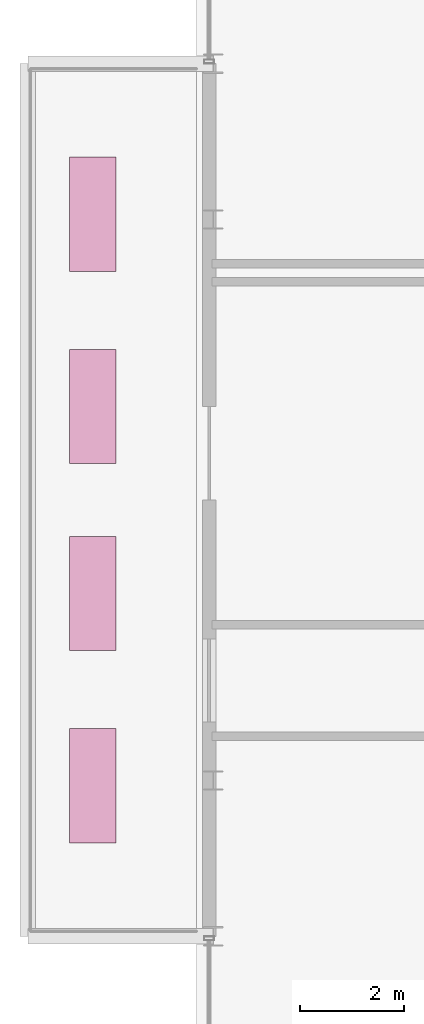
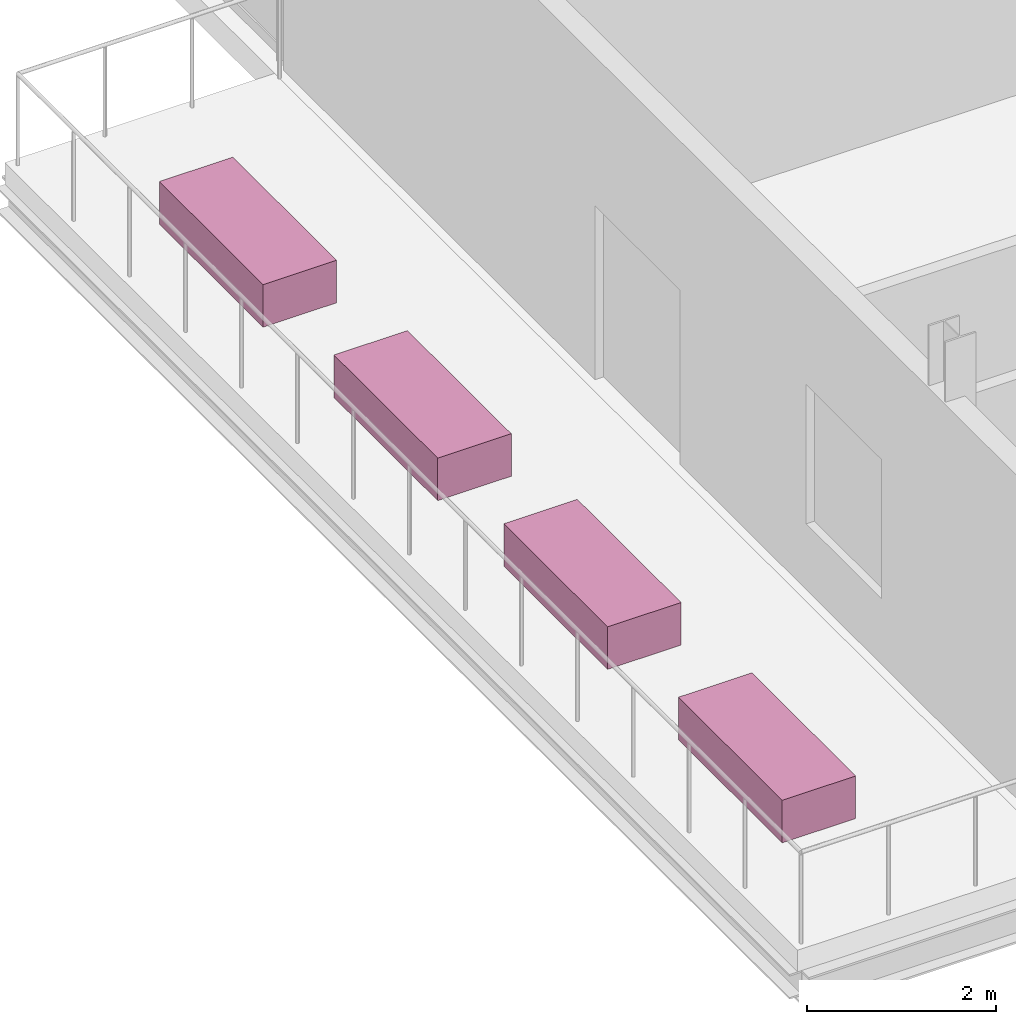
# One storey, part 28 of 28: 4 furnishings.
"""IFC4 building model written with IfcOpenShell, lengths in metres."""

import ifcopenshell
import ifcopenshell.guid

model = None  # the IFC model being written
_history = None  # IfcOwnerHistory: only IFC2X3 demands one
_inside = {}  # id of a spatial element -> (the spatial element, [elements in it])
_under = {}  # id of a project, library or spatial element -> (it, [spatial elements below it])
_declared = {}  # id of a project -> (the project, [libraries it declares])
_typed = {}  # id of a type object -> (the type object, [elements of that type])
_made_of = {}  # id of a material, layer set ... -> (it, [elements and type objects made of it])


def new_model(schema):
    """Start an empty IFC model of exactly this schema.

    Asked for "IFC4X3", IfcOpenShell would pick the latest addendum, in which some entities
    have other attributes; the version numbers below select the first issue.
    IFC2X3 requires an IfcOwnerHistory on every rooted entity: one is made here for all.
    """
    global model, _history
    if schema == "IFC4X3":
        model = ifcopenshell.file(schema_version=(4, 3, 0, 0))
    else:
        model = ifcopenshell.file(schema=schema)
    _inside.clear()
    _under.clear()
    _declared.clear()
    _typed.clear()
    _made_of.clear()
    _history = None
    if model.schema == "IFC2X3":
        org = make("IfcOrganization", Name="unknown")
        user = make(
            "IfcPersonAndOrganization",
            ThePerson=make("IfcPerson", FamilyName="unknown"),
            TheOrganization=org,
        )
        app = make(
            "IfcApplication",
            ApplicationDeveloper=org,
            Version="unknown",
            ApplicationFullName="unknown",
            ApplicationIdentifier="unknown",
        )
        _history = make(
            "IfcOwnerHistory",
            OwningUser=user,
            OwningApplication=app,
            ChangeAction="ADDED",
            CreationDate=0,
        )
    return model


def make(cls, **values):
    """One entity of the class cls with the attributes given. An attribute that is None is left unset."""
    return model.create_entity(
        cls, **{name: value for name, value in values.items() if value is not None}
    )


def rooted(cls, **values):
    """An entity with a GlobalId (a new one), such as an element, a storey or a relation."""
    return make(cls, GlobalId=ifcopenshell.guid.new(), OwnerHistory=_history, **values)


def si_unit(unit_type, name, prefix=None):
    """IfcSIUnit, for example si_unit("LENGTHUNIT", "METRE", prefix="MILLI")."""
    return make("IfcSIUnit", UnitType=unit_type, Prefix=prefix, Name=name)


def assignment(units):
    """IfcUnitAssignment: the units of a project."""
    return None if units is None else make("IfcUnitAssignment", Units=units)


def point(xyz):
    """IfcCartesianPoint."""
    return None if xyz is None else make("IfcCartesianPoint", Coordinates=xyz)


def direction(xyz):
    """IfcDirection."""
    return None if xyz is None else make("IfcDirection", DirectionRatios=xyz)


def frame(location, z_axis=None, x_axis=None):
    """IfcAxis2Placement3D, a coordinate frame: its origin and axes. An axis left out is left unset."""
    return make(
        "IfcAxis2Placement3D",
        Location=point(location),
        Axis=direction(z_axis),
        RefDirection=direction(x_axis),
    )


def frame_2d(location, x_axis=None):
    """IfcAxis2Placement2D, a coordinate frame in the plane: its origin and x axis."""
    return make(
        "IfcAxis2Placement2D", Location=point(location), RefDirection=direction(x_axis)
    )


def origin():
    """The frame at (0, 0, 0) with its axes left unset."""
    return frame((0.0, 0.0, 0.0))


def origin_2d():
    """The frame at (0, 0) in the plane with its x axis left unset."""
    return frame_2d((0.0, 0.0))


def place(relative_to, where):
    """IfcLocalPlacement: puts the frame where relative to a parent placement (None: the world)."""
    return make(
        "IfcLocalPlacement", PlacementRelTo=relative_to, RelativePlacement=where
    )


def context(
    kind, dimensions, precision=None, world=None, true_north=None, identifier=None
):
    """IfcGeometricRepresentationContext, for example the 3D "Model" context."""
    return make(
        "IfcGeometricRepresentationContext",
        ContextIdentifier=identifier,
        ContextType=kind,
        CoordinateSpaceDimension=dimensions,
        Precision=precision,
        WorldCoordinateSystem=world,
        TrueNorth=true_north,
    )


def subcontext(parent, identifier, kind, view, scale=None):
    """IfcGeometricRepresentationSubContext, for example "Body" below "Model"."""
    return make(
        "IfcGeometricRepresentationSubContext",
        ContextIdentifier=identifier,
        ContextType=kind,
        ParentContext=parent,
        TargetScale=scale,
        TargetView=view,
    )


def project(units=None, contexts=None):
    """IfcProject with its units and contexts."""
    return rooted(
        "IfcProject",
        Name="project",
        RepresentationContexts=contexts,
        UnitsInContext=assignment(units),
    )


def spatial(cls, under=None, at=None, **own):
    """A site, building, storey or space (cls), placed at a placement, below another one or the project."""
    s = rooted(cls, ObjectPlacement=at, **own)
    if under is not None:
        _under.setdefault(under.id(), (under, []))[1].append(s)
    return s


def profile(cls, at=None, kind="AREA", **sizes):
    """A parametric profile (cls). Its sizes go by their IFC names, for example OverallWidth=200.0."""
    return make(cls, ProfileType=kind, Position=at, **sizes)


def rectangle(**sizes):
    """IfcRectangleProfileDef."""
    return profile("IfcRectangleProfileDef", **sizes)


def extrude(swept, where, along, depth):
    """IfcExtrudedAreaSolid: the profile swept, set in the frame where, extruded along a direction by depth."""
    return make(
        "IfcExtrudedAreaSolid",
        SweptArea=swept,
        Position=where,
        ExtrudedDirection=direction(along),
        Depth=depth,
    )


def shape(context_of_items, identifier, shape_type, items):
    """IfcShapeRepresentation: the items that make up one representation, for example the "Body"."""
    return make(
        "IfcShapeRepresentation",
        ContextOfItems=context_of_items,
        RepresentationIdentifier=identifier,
        RepresentationType=shape_type,
        Items=items,
    )


def source(mapping_origin, context_of_items, identifier, shape_type, items):
    """IfcRepresentationMap: a shape defined once, which mapped items show again and again."""
    return make(
        "IfcRepresentationMap",
        MappingOrigin=mapping_origin,
        MappedRepresentation=shape(context_of_items, identifier, shape_type, items),
    )


def transform(
    local_origin,
    x_axis=None,
    y_axis=None,
    z_axis=None,
    scale=None,
    scale2=None,
    scale3=None,
    uniform=True,
):
    """IfcCartesianTransformationOperator3D, or its non-uniform kind. x_axis, y_axis, z_axis: its Axis1, 2, 3."""
    if uniform:
        return make(
            "IfcCartesianTransformationOperator3D",
            Axis1=direction(x_axis),
            Axis2=direction(y_axis),
            LocalOrigin=point(local_origin),
            Scale=scale,
            Axis3=direction(z_axis),
        )
    return make(
        "IfcCartesianTransformationOperator3DnonUniform",
        Axis1=direction(x_axis),
        Axis2=direction(y_axis),
        LocalOrigin=point(local_origin),
        Scale=scale,
        Axis3=direction(z_axis),
        Scale2=scale2,
        Scale3=scale3,
    )


def mapped(mapping_source, mapping_target):
    """IfcMappedItem: shows the shape of a source again, moved by a transform."""
    return make(
        "IfcMappedItem", MappingSource=mapping_source, MappingTarget=mapping_target
    )


def material(Name=None, Category=None):
    """IfcMaterial."""
    return make("IfcMaterial", Name=Name, Category=Category)


def made_of(thing, what):
    """Note that an element or type object is made of a material, layer set ...; save() writes the relation."""
    if what is not None:
        _made_of.setdefault(what.id(), (what, []))[1].append(thing)
    return thing


def type_object(cls, material=None, **own):
    """A type object (cls), such as IfcWallType, which elements share."""
    return made_of(rooted(cls, **own), material)


def element(
    cls,
    number,
    at=None,
    inside=None,
    cuts=None,
    type_object=None,
    material=None,
    context=None,
    identifier="Body",
    shape_type=None,
    held_by="IfcProductDefinitionShape",
    body=None,
    shapes=None,
    **own,
):
    """One element of the class cls, such as IfcWall. Its Tag is "e" and its number.

    at: its placement. inside: the storey or other place that contains it. cuts: it is an
    opening in that element (IfcRelVoidsElement). A single representation is given by context,
    identifier, shape_type and body (its items); several are given by shapes. held_by: the class
    of the entity that holds the representations. save() writes the other relations.
    """
    e = rooted(cls, Tag="e%d" % number, ObjectPlacement=at, **own)
    if body is not None:
        shapes = [shape(context, identifier, shape_type, body)]
    if shapes is not None:
        e.Representation = make(held_by, Representations=shapes)
    if inside is not None:
        _inside.setdefault(inside.id(), (inside, []))[1].append(e)
    if cuts is not None:
        rooted(
            "IfcRelVoidsElement", RelatingBuildingElement=cuts, RelatedOpeningElement=e
        )
    if type_object is not None:
        _typed.setdefault(type_object.id(), (type_object, []))[1].append(e)
    return made_of(e, material)


def aggregate(whole, parts):
    """IfcRelAggregates: a whole, such as a stair, and the parts it consists of."""
    return rooted("IfcRelAggregates", RelatingObject=whole, RelatedObjects=parts)


def save(model, path):
    """Write the relations noted so far, then the file.

    IfcRelAggregates (storeys below a building ...), IfcRelContainedInSpatialStructure (elements
    in a storey), IfcRelDefinesByType, IfcRelAssociatesMaterial and IfcRelDeclares: one each for
    every whole, place, type object, material and project.
    """
    for whole, parts in _under.values():
        aggregate(whole, parts)
    for where, things in _inside.values():
        rooted(
            "IfcRelContainedInSpatialStructure",
            RelatedElements=things,
            RelatingStructure=where,
        )
    for kind, things in _typed.values():
        rooted("IfcRelDefinesByType", RelatedObjects=things, RelatingType=kind)
    for what, things in _made_of.values():
        rooted("IfcRelAssociatesMaterial", RelatedObjects=things, RelatingMaterial=what)
    for by, libraries in _declared.values():
        rooted("IfcRelDeclares", RelatingContext=by, RelatedDefinitions=libraries)
    model.write(path)


model = new_model("IFC4")

# Units and contexts
model_context = context("Model", 3, precision=1e-05, world=origin(), true_north=direction((0.0, 1.0)))
body_context = subcontext(model_context, "Body", "Model", "MODEL_VIEW")
ifc_project = project(units=[si_unit("LENGTHUNIT", "METRE"), si_unit("AREAUNIT", "SQUARE_METRE"), si_unit("VOLUMEUNIT", "CUBIC_METRE"), si_unit("PLANEANGLEUNIT", "RADIAN"), si_unit("MASSUNIT", "GRAM", prefix="KILO")], contexts=[model_context])

# Site, building, storey
site_placement = place(None, origin())
site = spatial("IfcSite", under=ifc_project, at=site_placement, CompositionType="ELEMENT")
building_placement = place(site_placement, origin())
building = spatial("IfcBuilding", under=site, at=building_placement, Name="Nahalor Promenade Grand Hotel", CompositionType="ELEMENT")
storey_placement = place(building_placement, frame((0.0, 0.0, 352.050048828125)))
storey = spatial("IfcBuildingStorey", under=building, at=storey_placement, Name="L90", CompositionType="ELEMENT", Elevation=352.050048828125)

# Furnishings
ifc_material = material(Name="Vegetated Volcanic-Lapilli Tree Planter", Category="earth")
furnishing_element_type = type_object("IfcFurnishingElementType", Name="Planter-VerticalForest-Box", material=ifc_material)
shared_shape = source(origin(), body_context, "Body", "SweptSolid", [
    extrude(rectangle(XDim=0.89990234375, YDim=2.199951171875, at=origin_2d()), origin(), (0.0, 0.0, 1.0), 0.550048828125),
])
for number, where, z_axis, x_axis, name in (
    (1, (-24.800048828125, -5.5, 0.0), (0.0, 0.0, 1.0), (1.0, 0.0, 0.0), "L90 Conservatory Belvedere Tree Planter 01"),
    (2, (-24.800048828125, -1.800048828125, 0.0), (0.0, 0.0, 1.0), (1.0, 0.0, 0.0), "L90 Conservatory Belvedere Tree Planter 02"),
    (3, (-24.800048828125, 1.800048828125, 0.0), (0.0, 0.0, 1.0), (1.0, 0.0, 0.0), "L90 Conservatory Belvedere Tree Planter 03"),
    (4, (-24.800048828125, 5.5, 0.0), (0.0, 0.0, 1.0), (1.0, 0.0, 0.0), "L90 Conservatory Belvedere Tree Planter 04"),
):
    element("IfcFurnishingElement", number, at=place(storey_placement, frame(where, z_axis=z_axis, x_axis=x_axis)), inside=storey, type_object=furnishing_element_type, Name=name, ObjectType="PLANTER", context=body_context, shape_type="MappedRepresentation", body=[
        mapped(shared_shape, transform((0.0, 0.0, 0.0), scale=1.0)),
    ])

save(model, "model.ifc")
